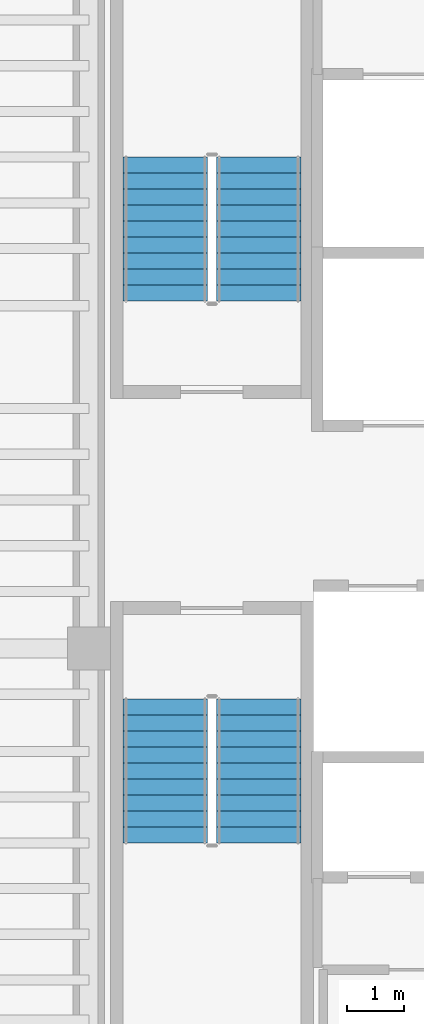
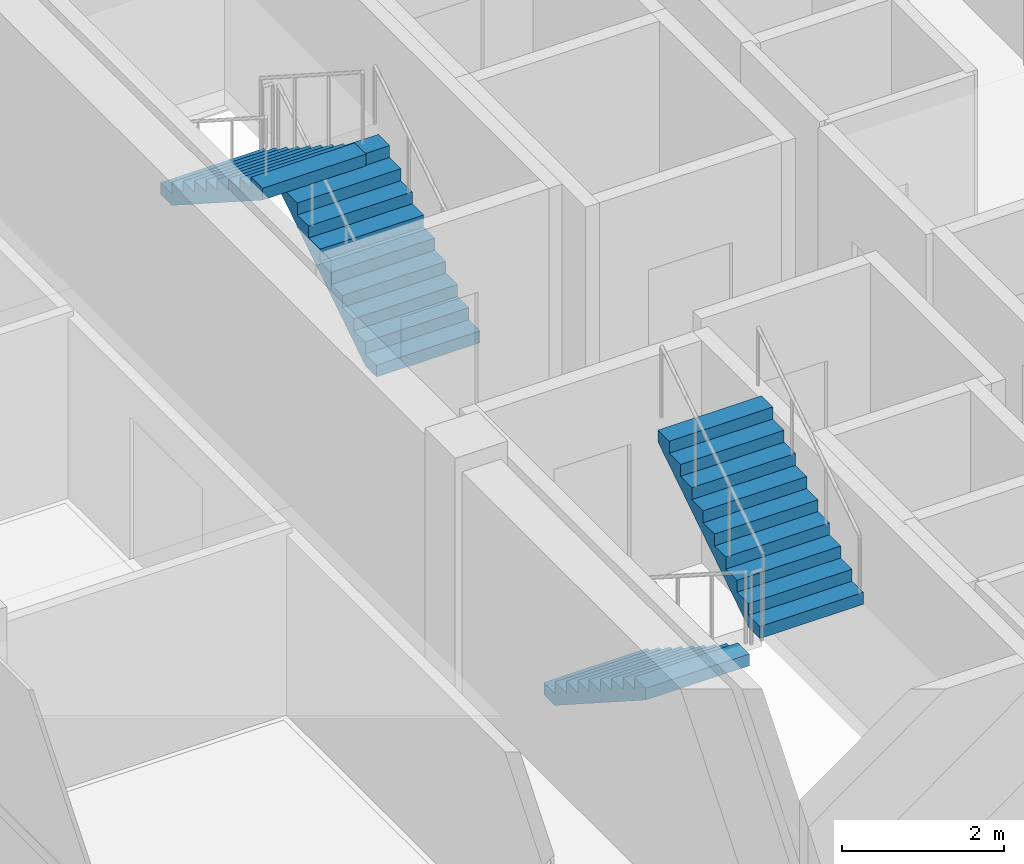
# One storey, part 11 of 13: 4 stair flights, 2 elements without a shape of their own.
"""IFC4 building model written with IfcOpenShell, lengths in metres."""

from ifc_helpers import new_model, si_unit, direction, frame, origin, place, context, subcontext, project, spatial, polyline, outline, extrude, material, type_object, element, aggregate, save


model = new_model("IFC4")

# Units and contexts
model_context = context("Model", 3, precision=1e-05, world=origin(), true_north=direction((0.0, 1.0)))
body_context = subcontext(model_context, "Body", "Model", "MODEL_VIEW")
ifc_project = project(units=[si_unit("LENGTHUNIT", "METRE"), si_unit("AREAUNIT", "SQUARE_METRE"), si_unit("VOLUMEUNIT", "CUBIC_METRE"), si_unit("PLANEANGLEUNIT", "RADIAN"), si_unit("MASSUNIT", "GRAM", prefix="KILO")], contexts=[model_context])

# Site, building, storey
site_placement = place(None, origin())
site = spatial("IfcSite", under=ifc_project, at=site_placement, CompositionType="ELEMENT")
building_placement = place(site_placement, origin())
building = spatial("IfcBuilding", under=site, at=building_placement, Name="Valdorenza Pilgrim Sanctuary Tower", CompositionType="ELEMENT")
storey_placement = place(building_placement, frame((0.0, 0.0, 290.60009765625)))
storey = spatial("IfcBuildingStorey", under=building, at=storey_placement, Name="L76", CompositionType="ELEMENT", Elevation=290.60009765625)

# Stair, stair flights
ifc_material = material(Name="Concrete C40/50", Category="concrete")
stair_type = type_object("IfcStairType", Name="STR-DOG-CORE", PredefinedType="HALF_TURN_STAIR", material=ifc_material)
stair_1_placement = place(storey_placement, origin())
stair_1 = element("IfcStair", 1, at=stair_1_placement, inside=storey, type_object=stair_type, Name="L76 ST-A1", PredefinedType="HALF_TURN_STAIR")
stair_flight_type = type_object("IfcStairFlightType", Name="STF-RC-1400", PredefinedType="STRAIGHT", material=ifc_material)
stair_flight_1_placement = place(storey_placement, frame((-19.679931640625, 3.47998046875, 0.0), z_axis=(0.0, 0.0, 1.0), x_axis=(0.0, 1.0, 0.0)))
stair_flight_1 = element("IfcStairFlight", 2, at=stair_flight_1_placement, type_object=stair_flight_type, Name="ST-A1 flight 1", NumberOfRisers=10, NumberOfTreads=9, PredefinedType="STRAIGHT", RiserHeight=0.18, TreadLength=0.28, context=body_context, shape_type="SweptSolid", body=[
    extrude(outline(polyline([(0.0, 0.0), (0.0, 0.179931640625), (0.280029296875, 0.179931640625), (0.280029296875, 0.360107421875), (0.56005859375, 0.360107421875), (0.56005859375, 0.5400390625), (0.840087890625, 0.5400390625), (0.840087890625, 0.719970703125), (1.1201171875, 0.719970703125), (1.1201171875, 0.89990234375), (1.39990234375, 0.89990234375), (1.39990234375, 1.080078125), (1.679931640625, 1.080078125), (1.679931640625, 1.260009765625), (1.9599609375, 1.260009765625), (1.9599609375, 1.43994140625), (2.239990234375, 1.43994140625), (2.239990234375, 1.6201171875), (2.52001953125, 1.6201171875), (2.52001953125, 1.800048828125), (2.52001953125, 1.44189453125), (0.277099609375, 0.0), (0.0, 0.0)])), frame((0.0, 0.739990234375, 0.0), z_axis=(0.0, -1.0, 0.0), x_axis=(1.0, 0.0, 0.0)), (0.0, 0.0, 1.0), 1.47998046875),
])
stair_flight_2_placement = place(storey_placement, frame((-21.31005859375, 6.0, 1.7998046875), z_axis=(0.0, 0.0, 1.0), x_axis=(0.0, -1.0, 0.0)))
stair_flight_2 = element("IfcStairFlight", 3, at=stair_flight_2_placement, type_object=stair_flight_type, Name="ST-A1 flight 2", NumberOfRisers=10, NumberOfTreads=9, PredefinedType="STRAIGHT", RiserHeight=0.18, TreadLength=0.28, context=body_context, shape_type="SweptSolid", body=[
    extrude(outline(polyline([(0.0, 0.0), (0.0, 0.179931640625), (0.280029296875, 0.179931640625), (0.280029296875, 0.360107421875), (0.56005859375, 0.360107421875), (0.56005859375, 0.5400390625), (0.840087890625, 0.5400390625), (0.840087890625, 0.719970703125), (1.1201171875, 0.719970703125), (1.1201171875, 0.89990234375), (1.39990234375, 0.89990234375), (1.39990234375, 1.080078125), (1.679931640625, 1.080078125), (1.679931640625, 1.260009765625), (1.9599609375, 1.260009765625), (1.9599609375, 1.43994140625), (2.239990234375, 1.43994140625), (2.239990234375, 1.6201171875), (2.52001953125, 1.6201171875), (2.52001953125, 1.800048828125), (2.52001953125, 1.44189453125), (0.277099609375, 0.0), (0.0, 0.0)])), frame((0.0, 0.739990234375, 0.0), z_axis=(0.0, -1.0, 0.0), x_axis=(1.0, 0.0, 0.0)), (0.0, 0.0, 1.0), 1.47998046875),
])
aggregate(stair_1, [stair_flight_1, stair_flight_2])

stair_2_placement = place(storey_placement, origin())
stair_2 = element("IfcStair", 4, at=stair_2_placement, inside=storey, type_object=stair_type, Name="L76 ST-A2", PredefinedType="HALF_TURN_STAIR")
stair_flight_3_placement = place(storey_placement, frame((-21.31005859375, -3.47998046875, 0.0), z_axis=(0.0, 0.0, 1.0), x_axis=(0.0, -1.0, 0.0)))
stair_flight_3 = element("IfcStairFlight", 5, at=stair_flight_3_placement, type_object=stair_flight_type, Name="ST-A2 flight 1", NumberOfRisers=10, NumberOfTreads=9, PredefinedType="STRAIGHT", RiserHeight=0.18, TreadLength=0.28, context=body_context, shape_type="SweptSolid", body=[
    extrude(outline(polyline([(0.0, 0.0), (0.0, 0.179931640625), (0.280029296875, 0.179931640625), (0.280029296875, 0.360107421875), (0.56005859375, 0.360107421875), (0.56005859375, 0.5400390625), (0.840087890625, 0.5400390625), (0.840087890625, 0.719970703125), (1.1201171875, 0.719970703125), (1.1201171875, 0.89990234375), (1.39990234375, 0.89990234375), (1.39990234375, 1.080078125), (1.679931640625, 1.080078125), (1.679931640625, 1.260009765625), (1.9599609375, 1.260009765625), (1.9599609375, 1.43994140625), (2.239990234375, 1.43994140625), (2.239990234375, 1.6201171875), (2.52001953125, 1.6201171875), (2.52001953125, 1.800048828125), (2.52001953125, 1.44189453125), (0.277099609375, 0.0), (0.0, 0.0)])), frame((0.0, 0.739990234375, 0.0), z_axis=(0.0, -1.0, 0.0), x_axis=(1.0, 0.0, 0.0)), (0.0, 0.0, 1.0), 1.47998046875),
])
stair_flight_4_placement = place(storey_placement, frame((-19.679931640625, -6.0, 1.7998046875), z_axis=(0.0, 0.0, 1.0), x_axis=(0.0, 1.0, 0.0)))
stair_flight_4 = element("IfcStairFlight", 6, at=stair_flight_4_placement, type_object=stair_flight_type, Name="ST-A2 flight 2", NumberOfRisers=10, NumberOfTreads=9, PredefinedType="STRAIGHT", RiserHeight=0.18, TreadLength=0.28, context=body_context, shape_type="SweptSolid", body=[
    extrude(outline(polyline([(0.0, 0.0), (0.0, 0.179931640625), (0.280029296875, 0.179931640625), (0.280029296875, 0.360107421875), (0.56005859375, 0.360107421875), (0.56005859375, 0.5400390625), (0.840087890625, 0.5400390625), (0.840087890625, 0.719970703125), (1.1201171875, 0.719970703125), (1.1201171875, 0.89990234375), (1.39990234375, 0.89990234375), (1.39990234375, 1.080078125), (1.679931640625, 1.080078125), (1.679931640625, 1.260009765625), (1.9599609375, 1.260009765625), (1.9599609375, 1.43994140625), (2.239990234375, 1.43994140625), (2.239990234375, 1.6201171875), (2.52001953125, 1.6201171875), (2.52001953125, 1.800048828125), (2.52001953125, 1.44189453125), (0.277099609375, 0.0), (0.0, 0.0)])), frame((0.0, 0.739990234375, 0.0), z_axis=(0.0, -1.0, 0.0), x_axis=(1.0, 0.0, 0.0)), (0.0, 0.0, 1.0), 1.47998046875),
])
aggregate(stair_2, [stair_flight_3, stair_flight_4])

save(model, "model.ifc")
